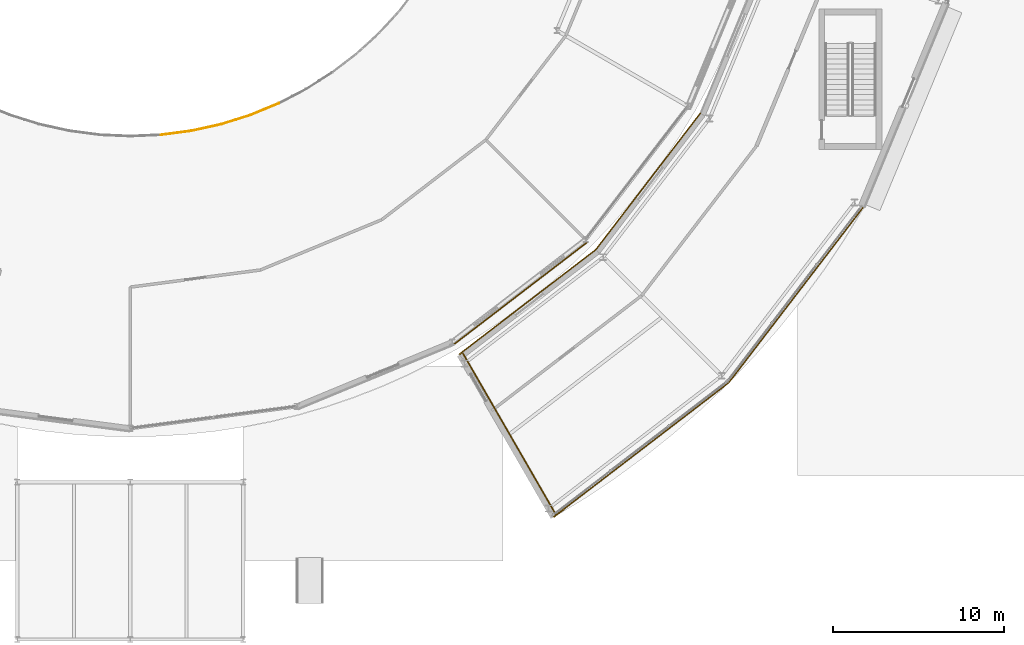
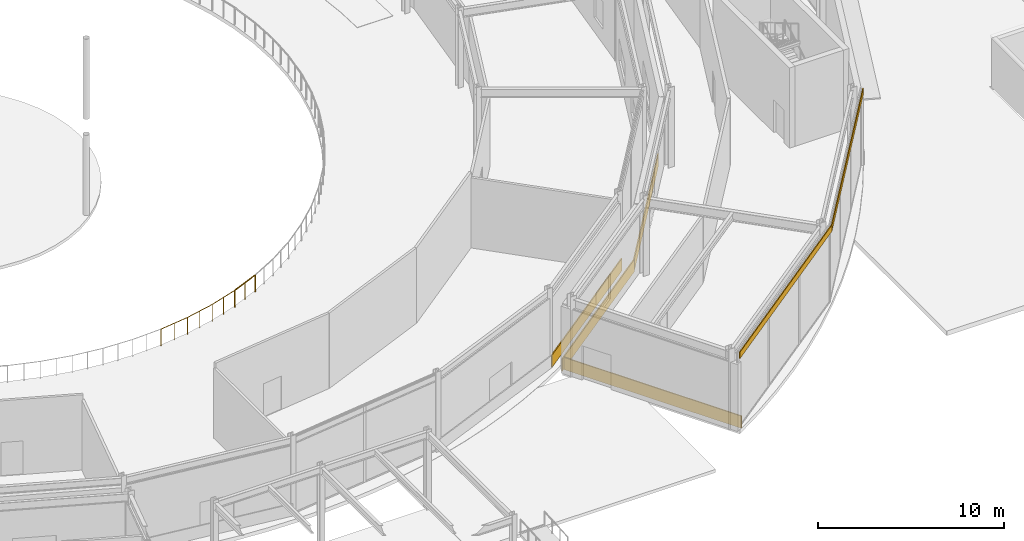
# One storey, part 147 of 168: 6 coverings, 4 railings.
"""IFC4 building model written with IfcOpenShell, lengths in metres."""

from ifc_helpers import new_model, si_unit, direction, frame, origin, origin_2d, place, context, subcontext, project, spatial, rectangle, circle, extrude, material, layer, layer_set, type_object, element, save


model = new_model("IFC4")

# Units and contexts
model_context = context("Model", 3, precision=1e-05, world=origin(), true_north=direction((0.0, 1.0)))
body_context = subcontext(model_context, "Body", "Model", "MODEL_VIEW")
ifc_project = project(units=[si_unit("LENGTHUNIT", "METRE"), si_unit("AREAUNIT", "SQUARE_METRE"), si_unit("VOLUMEUNIT", "CUBIC_METRE"), si_unit("PLANEANGLEUNIT", "RADIAN"), si_unit("MASSUNIT", "GRAM", prefix="KILO")], contexts=[model_context])

# Site, building, storey
site_placement = place(None, origin())
site = spatial("IfcSite", under=ifc_project, at=site_placement, CompositionType="ELEMENT")
building_placement = place(site_placement, origin())
building = spatial("IfcBuilding", under=site, at=building_placement, Name="Almandine Court Research Institute", CompositionType="ELEMENT")
storey_placement = place(building_placement, origin())
storey = spatial("IfcBuildingStorey", under=building, at=storey_placement, Name="L00", CompositionType="ELEMENT", Elevation=0.0)

# Coverings
ifc_material_1 = material(Name="Honed Andean Red-Buff Sandstone Cladding", Category="masonry")
ifc_layer_1 = layer(ifc_material_1, 0.06494140625)
ifc_layer_set_1 = layer_set([ifc_layer_1], Name="Honed Andean Red-Buff Sandstone Cladding")
covering_type_1 = type_object("IfcCoveringType", Name="Cov-CLAD-SAND", PredefinedType="CLADDING", material=ifc_layer_set_1)
for number, where, z_axis, x_axis, name in (
    (1, (110.22705078125, 25.72998046875, 0.02001953125), (0.0, 0.0, 1.0), (0.793353340291, 0.608761429009, 0.0), "L00 Facade Spandrel Cladding Band 253"),
    (2, (117.27001953125, 32.77294921875, 0.02001953125), (0.0, 0.0, 1.0), (0.608761429009, 0.793353340291, 0.0), "L00 Facade Spandrel Cladding Band 255"),
):
    element("IfcCovering", number, at=place(storey_placement, frame(where, z_axis=z_axis, x_axis=x_axis)), inside=storey, type_object=covering_type_1, Name=name, PredefinedType="CLADDING", context=body_context, shape_type="SweptSolid", body=[
        extrude(rectangle(XDim=10.080078125, YDim=0.06494140625, at=origin_2d()), origin(), (0.0, 0.0, 1.0), 0.800048828125),
    ])
covering_1_placement = place(storey_placement, frame((109.174072265625, 17.9951171875, 0.02001953125), z_axis=(0.0, 0.0, 1.0), x_axis=(0.5, -0.866025403784, 0.0)))
element("IfcCovering", 3, at=covering_1_placement, inside=storey, type_object=covering_type_1, Name="L00 Facade Spandrel Cladding Band 294", PredefinedType="CLADDING", context=body_context, shape_type="SweptSolid", body=[
    extrude(rectangle(XDim=10.950927734375, YDim=0.06494140625, at=origin_2d()), origin(), (0.0, 0.0, 1.0), 0.800048828125),
])
covering_2_placement = place(storey_placement, frame((109.830078125, 26.2470703125, 0.02001953125), z_axis=(0.0, 0.0, 1.0), x_axis=(-0.793353340291, -0.608761429009, 0.0)))
element("IfcCovering", 4, at=covering_2_placement, inside=storey, type_object=covering_type_1, Name="L00 Facade Spandrel Cladding Band 439", PredefinedType="CLADDING", context=body_context, shape_type="SweptSolid", body=[
    extrude(rectangle(XDim=9.820068359375, YDim=0.06494140625, at=origin_2d()), origin(), (0.0, 0.0, 1.0), 0.800048828125),
])
ifc_material_2 = material(Name="Extruded Cream-Ochre Seismic Terracotta Spandrel", Category="masonry")
ifc_layer_2 = layer(ifc_material_2, 0.054931640625)
ifc_layer_set_2 = layer_set([ifc_layer_2], Name="Extruded Cream-Ochre Seismic Terracotta Spandrel")
covering_type_2 = type_object("IfcCoveringType", Name="Cov-CLAD-TERR", PredefinedType="CLADDING", material=ifc_layer_set_2)
for number, where, z_axis, x_axis, name in (
    (5, (116.864990234375, 17.080078125, 4.679931640625), (0.0, 0.0, 1.0), (-0.793353340291, -0.608761429009, 0.0), "L00 Drum Stacked Terracotta Ring Band 20"),
    (6, (125.919921875, 26.135009765625, 4.679931640625), (0.0, 0.0, 1.0), (-0.608761429009, -0.793353340291, 0.0), "L00 Drum Stacked Terracotta Ring Band 21"),
):
    element("IfcCovering", number, at=place(storey_placement, frame(where, z_axis=z_axis, x_axis=x_axis)), inside=storey, type_object=covering_type_2, Name=name, PredefinedType="CLADDING", context=body_context, shape_type="SweptSolid", body=[
        extrude(rectangle(XDim=12.8779296875, YDim=0.054931640625, at=origin_2d()), origin(), (0.0, 0.0, 1.0), 0.419921875),
    ])

# Railings
ifc_material_3 = material(Name="Powder-Coated Steel Stair and Atrium Balustrade", Category="steel")
railing_type = type_object("IfcRailingType", Name="Rail-GUARD-INT", PredefinedType="BALUSTRADE", material=ifc_material_3)
railing_1_placement = place(storey_placement, frame((88.7939453125, 35.498046875, 0.0)))
element("IfcRailing", 7, at=railing_1_placement, inside=storey, type_object=railing_type, Name="L00 Central Hauz Rainwater Court Balustrade 56", PredefinedType="BALUSTRADE", context=body_context, shape_type="SweptSolid", body=[
    extrude(circle(Radius=0.02392578125, at=origin_2d()), frame((0.0, 0.0, 1.09619140625), z_axis=(0.991407486945, 0.130809765799, 0.0), x_axis=(-0.130809765799, 0.991407486945, 0.0)), (0.0, 0.0, 1.0), 1.79541015625),
    extrude(circle(Radius=0.02099609375, at=origin_2d()), origin(), (0.0, 0.0, 1.0), 1.072021484375),
    extrude(circle(Radius=0.02099609375, at=origin_2d()), frame((0.89013671875, 0.117431640625, 0.0)), (0.0, 0.0, 1.0), 1.072021484375),
    extrude(circle(Radius=0.02099609375, at=origin_2d()), frame((1.780029296875, 0.23486328125, 0.0)), (0.0, 0.0, 1.0), 1.072021484375),
])
railing_2_placement = place(storey_placement, frame((90.573974609375, 35.73291015625, 0.0)))
element("IfcRailing", 8, at=railing_2_placement, inside=storey, type_object=railing_type, Name="L00 Central Hauz Rainwater Court Balustrade 57", PredefinedType="BALUSTRADE", context=body_context, shape_type="SweptSolid", body=[
    extrude(circle(Radius=0.02392578125, at=origin_2d()), frame((0.0, 0.0, 1.09619140625), z_axis=(0.976321325748, 0.21632537736, 0.0), x_axis=(-0.21632537736, 0.976321325748, 0.0)), (0.0, 0.0, 1.0), 1.79443359375),
    extrude(circle(Radius=0.02099609375, at=origin_2d()), origin(), (0.0, 0.0, 1.0), 1.072021484375),
    extrude(circle(Radius=0.02099609375, at=origin_2d()), frame((0.8759765625, 0.194091796875, 0.0)), (0.0, 0.0, 1.0), 1.072021484375),
    extrude(circle(Radius=0.02099609375, at=origin_2d()), frame((1.751953125, 0.38818359375, 0.0)), (0.0, 0.0, 1.0), 1.072021484375),
])
railing_3_placement = place(storey_placement, frame((92.325927734375, 36.12109375, 0.0)))
element("IfcRailing", 9, at=railing_3_placement, inside=storey, type_object=railing_type, Name="L00 Central Hauz Rainwater Court Balustrade 58", PredefinedType="BALUSTRADE", context=body_context, shape_type="SweptSolid", body=[
    extrude(circle(Radius=0.02392578125, at=origin_2d()), frame((0.0, 0.0, 1.09619140625), z_axis=(0.953773519019, 0.300526328994, 0.0), x_axis=(-0.300526328994, 0.953773519019, 0.0)), (0.0, 0.0, 1.0), 1.796142578125),
    extrude(circle(Radius=0.02099609375, at=origin_2d()), origin(), (0.0, 0.0, 1.0), 1.072021484375),
    extrude(circle(Radius=0.02099609375, at=origin_2d()), frame((0.8564453125, 0.27001953125, 0.0)), (0.0, 0.0, 1.0), 1.072021484375),
    extrude(circle(Radius=0.02099609375, at=origin_2d()), frame((1.713134765625, 0.539794921875, 0.0)), (0.0, 0.0, 1.0), 1.072021484375),
])
railing_4_placement = place(storey_placement, frame((94.0390625, 36.660888671875, 0.0)))
element("IfcRailing", 10, at=railing_4_placement, inside=storey, type_object=railing_type, Name="L00 Central Hauz Rainwater Court Balustrade 59", PredefinedType="BALUSTRADE", context=body_context, shape_type="SweptSolid", body=[
    extrude(circle(Radius=0.02392578125, at=origin_2d()), frame((0.0, 0.0, 1.09619140625), z_axis=(0.923827786903, 0.382808333433, 0.0), x_axis=(-0.382808333433, 0.923827786903, 0.0)), (0.0, 0.0, 1.0), 1.794677734375),
    extrude(circle(Radius=0.02099609375, at=origin_2d()), origin(), (0.0, 0.0, 1.0), 1.072021484375),
    extrude(circle(Radius=0.02099609375, at=origin_2d()), frame((0.8291015625, 0.343505859375, 0.0)), (0.0, 0.0, 1.0), 1.072021484375),
    extrude(circle(Radius=0.02099609375, at=origin_2d()), frame((1.657958984375, 0.68701171875, 0.0)), (0.0, 0.0, 1.0), 1.072021484375),
])

save(model, "model.ifc")
